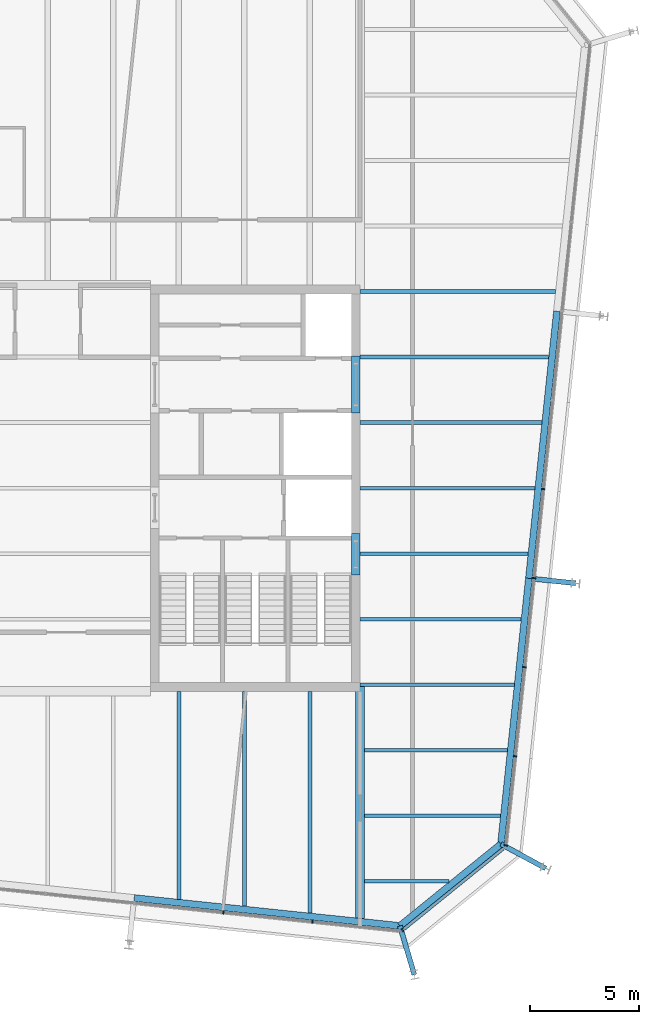
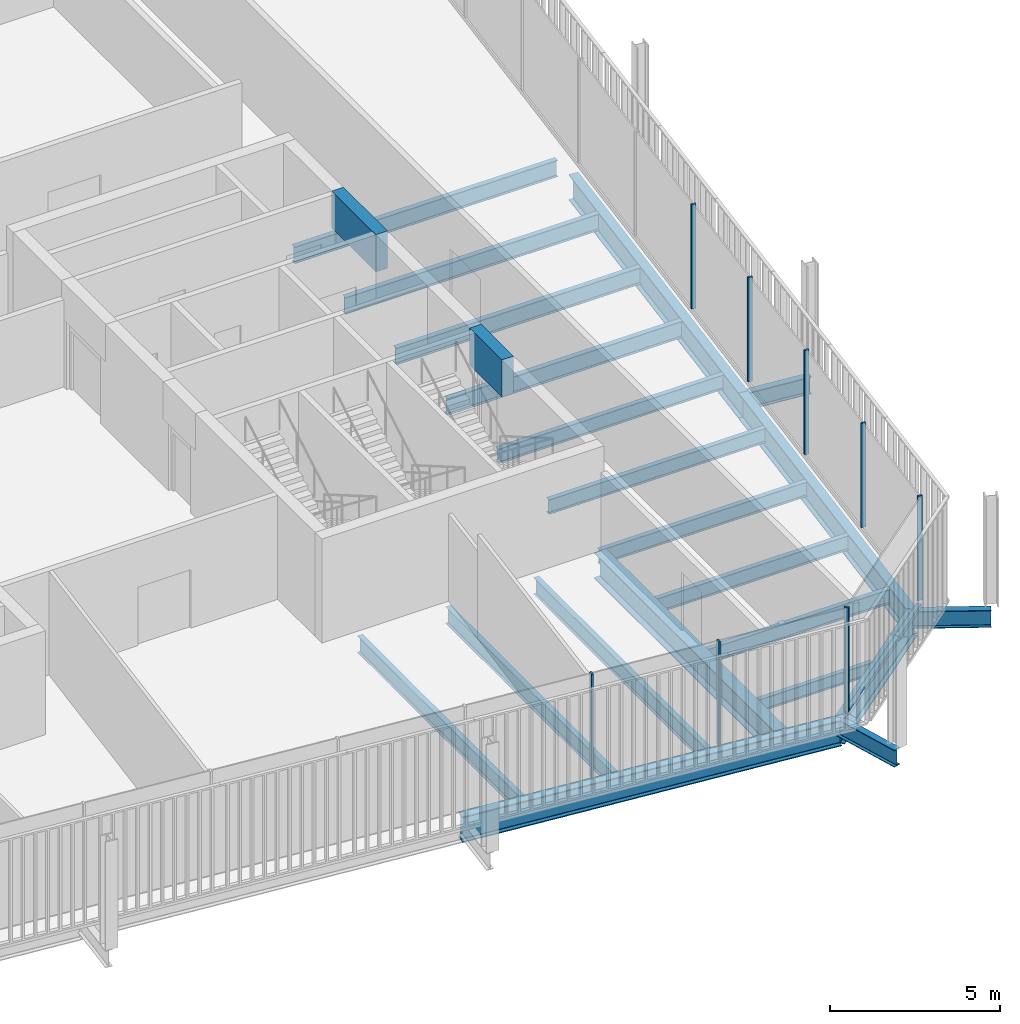
# One storey, part 9 of 20: 23 beams, 9 members, 3 elements without a shape of their own.
"""IFC4 building model written with IfcOpenShell, lengths in metres."""

from ifc_helpers import new_model, si_unit, direction, frame, origin, origin_2d, place, context, subcontext, project, spatial, rectangle, i_section, extrude, material, layer, layer_set, material_profile, profile_set, type_object, element, aggregate, save


model = new_model("IFC4")

# Units and contexts
model_context = context("Model", 3, precision=1e-05, world=origin(), true_north=direction((0.0, 1.0)))
body_context = subcontext(model_context, "Body", "Model", "MODEL_VIEW")
ifc_project = project(units=[si_unit("LENGTHUNIT", "METRE"), si_unit("AREAUNIT", "SQUARE_METRE"), si_unit("VOLUMEUNIT", "CUBIC_METRE"), si_unit("PLANEANGLEUNIT", "RADIAN"), si_unit("MASSUNIT", "GRAM", prefix="KILO")], contexts=[model_context])

# Site, building, storey
site_placement = place(None, origin())
site = spatial("IfcSite", under=ifc_project, at=site_placement, CompositionType="ELEMENT")
building_placement = place(site_placement, origin())
building = spatial("IfcBuilding", under=site, at=building_placement, Name="Millrace Tower", CompositionType="ELEMENT")
storey_placement = place(building_placement, frame((0.0, 0.0, 303.300048828125)))
storey = spatial("IfcBuildingStorey", under=building, at=storey_placement, Name="L70", CompositionType="ELEMENT", Elevation=303.300048828125)

# Curtain wall, members
ifc_material_1 = material(Name="Aluminium and glass", Category="aluminium")
ifc_layer = layer(ifc_material_1, 0.14990234375)
ifc_layer_set = layer_set([ifc_layer], Name="Aluminium and glass")
curtain_wall_type = type_object("IfcCurtainWallType", Name="CW-1 office vision curtain wall", PredefinedType="NOTDEFINED", material=ifc_layer_set)
placement = place(storey_placement, origin())
curtain_wall_1 = element("IfcCurtainWall", 1, at=placement, inside=storey, type_object=curtain_wall_type, Name="Curtain wall E-F02 L70", PredefinedType="NOTDEFINED")
ifc_material_2 = material(Name="Aluminium", Category="aluminium")
ifc_material_profile_1 = material_profile(ifc_material_2, rectangle(XDim=0.06494140625, YDim=0.14990234375, at=origin_2d()))
ifc_profile_set_1 = profile_set([ifc_material_profile_1], Name="Aluminium")
member_type_1 = type_object("IfcMemberType", Name="CW-1 office vision curtain wall mullion", PredefinedType="MULLION", material=ifc_profile_set_1)
member_1_placement = place(storey_placement, frame((8.040283203125, -19.4248046875, 0.139892578125), z_axis=(0.0, 0.0, 1.0), x_axis=(0.994521896217, -0.104528455196, 0.0)))
member_1 = element("IfcMember", 2, at=member_1_placement, type_object=member_type_1, Name="CW1 mullion E-F02.8", PredefinedType="MULLION", context=body_context, shape_type="SweptSolid", body=[
    extrude(rectangle(XDim=0.06494140625, YDim=0.14990234375, at=origin_2d()), origin(), (0.0, 0.0, 1.0), 3.760009765625),
])
member_2_placement = place(storey_placement, frame((12.117919921875, -19.853271484375, 0.139892578125), z_axis=(0.0, 0.0, 1.0), x_axis=(0.994521896217, -0.104528455196, 0.0)))
member_2 = element("IfcMember", 3, at=member_2_placement, type_object=member_type_1, Name="CW1 mullion E-F02.9", PredefinedType="MULLION", context=body_context, shape_type="SweptSolid", body=[
    extrude(rectangle(XDim=0.06494140625, YDim=0.14990234375, at=origin_2d()), origin(), (0.0, 0.0, 1.0), 3.760009765625),
])
aggregate(curtain_wall_1, [member_1, member_2])

# Curtain wall, member
curtain_wall_2 = element("IfcCurtainWall", 4, at=placement, inside=storey, type_object=curtain_wall_type, Name="Curtain wall E-F03 L70", PredefinedType="NOTDEFINED")
member_3_placement = place(storey_placement, frame((16.243408203125, -20.24169921875, 0.139892578125), z_axis=(0.0, 0.0, 1.0), x_axis=(0.777146052237, 0.629320278945, 0.0)))
member_3 = element("IfcMember", 5, at=member_3_placement, type_object=member_type_1, Name="CW1 mullion E-F03.1", PredefinedType="MULLION", context=body_context, shape_type="SweptSolid", body=[
    extrude(rectangle(XDim=0.06494140625, YDim=0.14990234375, at=origin_2d()), origin(), (0.0, 0.0, 1.0), 3.760009765625),
])

# Curtain wall, members
curtain_wall_3 = element("IfcCurtainWall", 6, at=placement, inside=storey, type_object=curtain_wall_type, Name="Curtain wall E-F04 L70", PredefinedType="NOTDEFINED")
member_4_placement = place(storey_placement, frame((20.974853515625, -16.3525390625, 0.139892578125), z_axis=(0.0, 0.0, 1.0), x_axis=(0.104528455196, 0.994521896217, 0.0)))
member_4 = element("IfcMember", 7, at=member_4_placement, type_object=member_type_1, Name="CW1 mullion E-F04.1", PredefinedType="MULLION", context=body_context, shape_type="SweptSolid", body=[
    extrude(rectangle(XDim=0.06494140625, YDim=0.14990234375, at=origin_2d()), origin(), (0.0, 0.0, 1.0), 3.760009765625),
])
member_5_placement = place(storey_placement, frame((21.4033203125, -12.27490234375, 0.139892578125), z_axis=(0.0, 0.0, 1.0), x_axis=(0.104528455196, 0.994521896217, 0.0)))
member_5 = element("IfcMember", 8, at=member_5_placement, type_object=member_type_1, Name="CW1 mullion E-F04.2", PredefinedType="MULLION", context=body_context, shape_type="SweptSolid", body=[
    extrude(rectangle(XDim=0.06494140625, YDim=0.14990234375, at=origin_2d()), origin(), (0.0, 0.0, 1.0), 3.760009765625),
])
member_6_placement = place(storey_placement, frame((21.83203125, -8.197509765625, 0.139892578125), z_axis=(0.0, 0.0, 1.0), x_axis=(0.104528455196, 0.994521896217, 0.0)))
member_6 = element("IfcMember", 9, at=member_6_placement, type_object=member_type_1, Name="CW1 mullion E-F04.3", PredefinedType="MULLION", context=body_context, shape_type="SweptSolid", body=[
    extrude(rectangle(XDim=0.06494140625, YDim=0.14990234375, at=origin_2d()), origin(), (0.0, 0.0, 1.0), 3.760009765625),
])
member_7_placement = place(storey_placement, frame((22.260498046875, -4.119873046875, 0.139892578125), z_axis=(0.0, 0.0, 1.0), x_axis=(0.104528455196, 0.994521896217, 0.0)))
member_7 = element("IfcMember", 10, at=member_7_placement, type_object=member_type_1, Name="CW1 mullion E-F04.4", PredefinedType="MULLION", context=body_context, shape_type="SweptSolid", body=[
    extrude(rectangle(XDim=0.06494140625, YDim=0.14990234375, at=origin_2d()), origin(), (0.0, 0.0, 1.0), 3.760009765625),
])
member_8_placement = place(storey_placement, frame((22.68896484375, -0.042236328125, 0.139892578125), z_axis=(0.0, 0.0, 1.0), x_axis=(0.104528455196, 0.994521896217, 0.0)))
member_8 = element("IfcMember", 11, at=member_8_placement, type_object=member_type_1, Name="CW1 mullion E-F04.5", PredefinedType="MULLION", context=body_context, shape_type="SweptSolid", body=[
    extrude(rectangle(XDim=0.06494140625, YDim=0.14990234375, at=origin_2d()), origin(), (0.0, 0.0, 1.0), 3.760009765625),
])
aggregate(curtain_wall_3, [member_4, member_5, member_6, member_7, member_8])

# Member
ifc_material_3 = material(Name="Aluminium", Category="aluminium")
ifc_material_profile_2 = material_profile(ifc_material_3, rectangle(XDim=0.14990234375, YDim=0.139892578125, at=origin_2d()))
ifc_profile_set_2 = profile_set([ifc_material_profile_2], Name="Aluminium")
member_type_2 = type_object("IfcMemberType", Name="CW-1 office vision curtain wall transom", PredefinedType="USERDEFINED", material=ifc_profile_set_2)
member_9_placement = place(storey_placement, frame((16.2958984375, -20.19921875, 0.070068359375), z_axis=(0.77714915117, 0.629316452061, 0.0), x_axis=(-0.629316452061, 0.77714915117, 0.0)))
member_9 = element("IfcMember", 12, at=member_9_placement, type_object=member_type_2, Name="CW1 transom E-F03.1", ObjectType="TRANSOM", PredefinedType="USERDEFINED", context=body_context, shape_type="SweptSolid", body=[
    extrude(rectangle(XDim=0.14990234375, YDim=0.139892578125, at=origin_2d()), origin(), (0.0, 0.0, 1.0), 5.880859375),
])

aggregate(curtain_wall_2, [member_3, member_9])

# Beams
ifc_material_4 = material(Name="Concrete C60", Category="concrete")
ifc_material_profile_3 = material_profile(ifc_material_4, rectangle(XDim=0.39990234375, YDim=1.340087890625, at=origin_2d()))
ifc_profile_set_3 = profile_set([ifc_material_profile_3], Name="Concrete C60")
beam_type_1 = type_object("IfcBeamType", Name="Coupling beam 400 x 1340 Concrete C60, 1300 opening", PredefinedType="BEAM", material=ifc_profile_set_3)
beam_1_placement = place(storey_placement, frame((14.10009765625, -2.080078125, 3.070068359375), z_axis=(0.0, -1.0, 0.0), x_axis=(1.0, 0.0, 0.0)))
element("IfcBeam", 13, at=beam_1_placement, inside=storey, type_object=beam_type_1, Name="Coupling beam E L70", PredefinedType="BEAM", context=body_context, shape_type="SweptSolid", body=[
    extrude(rectangle(XDim=0.39990234375, YDim=1.340087890625, at=origin_2d()), origin(), (0.0, 0.0, 1.0), 1.89990234375),
])
ifc_material_5 = material(Name="Concrete C60", Category="concrete")
ifc_material_profile_4 = material_profile(ifc_material_5, rectangle(XDim=0.39990234375, YDim=1.340087890625, at=origin_2d()))
ifc_profile_set_4 = profile_set([ifc_material_profile_4], Name="Concrete C60")
beam_type_2 = type_object("IfcBeamType", Name="Coupling beam 400 x 1340 Concrete C60, 2000 opening", PredefinedType="BEAM", material=ifc_profile_set_4)
beam_2_placement = place(storey_placement, frame((14.10009765625, 6.050048828125, 3.070068359375), z_axis=(0.0, -1.0, 0.0), x_axis=(1.0, 0.0, 0.0)))
element("IfcBeam", 14, at=beam_2_placement, inside=storey, type_object=beam_type_2, Name="Coupling beam E L70", PredefinedType="BEAM", context=body_context, shape_type="SweptSolid", body=[
    extrude(rectangle(XDim=0.39990234375, YDim=1.340087890625, at=origin_2d()), origin(), (0.0, 0.0, 1.0), 2.60009765625),
])
ifc_material_6 = material(Name="Steel ASTM A992 Grade 50", Category="steel")
ifc_material_profile_5 = material_profile(ifc_material_6, i_section(OverallWidth=0.15234375, OverallDepth=0.449462890625, WebThickness=0.007568359375, FlangeThickness=0.0107421875, FilletRadius=0.01025390625, at=origin_2d()))
ifc_profile_set_5 = profile_set([ifc_material_profile_5], Name="Steel ASTM A992 Grade 50")
beam_type_3 = type_object("IfcBeamType", Name="Floor beam W18x35", PredefinedType="JOIST", material=ifc_profile_set_5)
beam_3_placement = place(storey_placement, frame((14.509521484375, -18.0, -0.384765625), z_axis=(1.0, 0.0, 0.0), x_axis=(0.0, 1.0, 0.0)))
element("IfcBeam", 15, at=beam_3_placement, inside=storey, type_object=beam_type_3, Name="BM-E-L70-S1-S001", PredefinedType="JOIST", context=body_context, shape_type="SweptSolid", body=[
    extrude(i_section(OverallWidth=0.15234375, OverallDepth=0.449462890625, WebThickness=0.007568359375, FlangeThickness=0.0107421875, FilletRadius=0.01025390625, at=origin_2d()), origin(), (0.0, 0.0, 1.0), 3.87060546875),
])
ifc_material_7 = material(Name="Steel ASTM A992 Grade 50", Category="steel")
ifc_material_profile_6 = material_profile(ifc_material_7, i_section(OverallWidth=0.1650390625, OverallDepth=0.52587890625, WebThickness=0.0087890625, FlangeThickness=0.011474609375, FilletRadius=0.0126953125, at=origin_2d()))
ifc_profile_set_6 = profile_set([ifc_material_profile_6], Name="Steel ASTM A992 Grade 50")
beam_type_4 = type_object("IfcBeamType", Name="Floor beam W21x44", PredefinedType="JOIST", material=ifc_profile_set_6)
beam_4_placement = place(storey_placement, frame((14.509521484375, -15.0, -0.4228515625), z_axis=(1.0, 0.0, 0.0), x_axis=(0.0, 1.0, 0.0)))
element("IfcBeam", 16, at=beam_4_placement, inside=storey, type_object=beam_type_4, Name="BM-E-L70-S1-S003", PredefinedType="JOIST", context=body_context, shape_type="SweptSolid", body=[
    extrude(i_section(OverallWidth=0.1650390625, OverallDepth=0.52587890625, WebThickness=0.0087890625, FlangeThickness=0.011474609375, FilletRadius=0.0126953125, at=origin_2d()), origin(), (0.0, 0.0, 1.0), 6.222900390625),
])
beam_5_placement = place(storey_placement, frame((14.509521484375, -12.0, -0.4228515625), z_axis=(1.0, 0.0, 0.0), x_axis=(0.0, 1.0, 0.0)))
element("IfcBeam", 17, at=beam_5_placement, inside=storey, type_object=beam_type_4, Name="BM-E-L70-S1-S005", PredefinedType="JOIST", context=body_context, shape_type="SweptSolid", body=[
    extrude(i_section(OverallWidth=0.1650390625, OverallDepth=0.52587890625, WebThickness=0.0087890625, FlangeThickness=0.011474609375, FilletRadius=0.0126953125, at=origin_2d()), origin(), (0.0, 0.0, 1.0), 6.538330078125),
])
beam_6_placement = place(storey_placement, frame((14.300048828125, -9.0, -0.4228515625), z_axis=(1.0, 0.0, 0.0), x_axis=(0.0, 1.0, 0.0)))
element("IfcBeam", 18, at=beam_6_placement, inside=storey, type_object=beam_type_4, Name="BM-E-L70-S1-S007", PredefinedType="JOIST", context=body_context, shape_type="SweptSolid", body=[
    extrude(i_section(OverallWidth=0.1650390625, OverallDepth=0.52587890625, WebThickness=0.0087890625, FlangeThickness=0.011474609375, FilletRadius=0.0126953125, at=origin_2d()), origin(), (0.0, 0.0, 1.0), 7.06298828125),
])
beam_7_placement = place(storey_placement, frame((14.300048828125, -6.0, -0.4228515625), z_axis=(1.0, 0.0, 0.0), x_axis=(0.0, 1.0, 0.0)))
element("IfcBeam", 19, at=beam_7_placement, inside=storey, type_object=beam_type_4, Name="BM-E-L70-S1-S010", PredefinedType="JOIST", context=body_context, shape_type="SweptSolid", body=[
    extrude(i_section(OverallWidth=0.1650390625, OverallDepth=0.52587890625, WebThickness=0.0087890625, FlangeThickness=0.011474609375, FilletRadius=0.0126953125, at=origin_2d()), origin(), (0.0, 0.0, 1.0), 7.37841796875),
])
beam_8_placement = place(storey_placement, frame((14.300048828125, -3.0, -0.4228515625), z_axis=(1.0, 0.0, 0.0), x_axis=(0.0, 1.0, 0.0)))
element("IfcBeam", 20, at=beam_8_placement, inside=storey, type_object=beam_type_4, Name="BM-E-L70-S1-S013", PredefinedType="JOIST", context=body_context, shape_type="SweptSolid", body=[
    extrude(i_section(OverallWidth=0.1650390625, OverallDepth=0.52587890625, WebThickness=0.0087890625, FlangeThickness=0.011474609375, FilletRadius=0.0126953125, at=origin_2d()), origin(), (0.0, 0.0, 1.0), 7.693603515625),
])
ifc_material_8 = material(Name="Steel ASTM A992 Grade 50", Category="steel")
ifc_material_profile_7 = material_profile(ifc_material_8, i_section(OverallWidth=0.177978515625, OverallDepth=0.599365234375, WebThickness=0.010009765625, FlangeThickness=0.012939453125, FilletRadius=0.012939453125, at=origin_2d()))
ifc_profile_set_7 = profile_set([ifc_material_profile_7], Name="Steel ASTM A992 Grade 50")
beam_type_5 = type_object("IfcBeamType", Name="Floor beam W24x55", PredefinedType="JOIST", material=ifc_profile_set_7)
beam_9_placement = place(storey_placement, frame((14.300048828125, 0.0, -0.459716796875), z_axis=(1.0, 0.0, 0.0), x_axis=(0.0, 1.0, 0.0)))
element("IfcBeam", 21, at=beam_9_placement, inside=storey, type_object=beam_type_5, Name="BM-E-L70-S1-S016", PredefinedType="JOIST", context=body_context, shape_type="SweptSolid", body=[
    extrude(i_section(OverallWidth=0.177978515625, OverallDepth=0.599365234375, WebThickness=0.010009765625, FlangeThickness=0.012939453125, FilletRadius=0.012939453125, at=origin_2d()), origin(), (0.0, 0.0, 1.0), 8.009033203125),
])
beam_10_placement = place(storey_placement, frame((14.300048828125, 3.0, -0.459716796875), z_axis=(1.0, 0.0, 0.0), x_axis=(0.0, 1.0, 0.0)))
element("IfcBeam", 22, at=beam_10_placement, inside=storey, type_object=beam_type_5, Name="BM-E-L70-S1-S019", PredefinedType="JOIST", context=body_context, shape_type="SweptSolid", body=[
    extrude(i_section(OverallWidth=0.177978515625, OverallDepth=0.599365234375, WebThickness=0.010009765625, FlangeThickness=0.012939453125, FilletRadius=0.012939453125, at=origin_2d()), origin(), (0.0, 0.0, 1.0), 8.324462890625),
])
beam_11_placement = place(storey_placement, frame((14.300048828125, 6.0, -0.459716796875), z_axis=(1.0, 0.0, 0.0), x_axis=(0.0, 1.0, 0.0)))
element("IfcBeam", 23, at=beam_11_placement, inside=storey, type_object=beam_type_5, Name="BM-E-L70-S1-S022", PredefinedType="JOIST", context=body_context, shape_type="SweptSolid", body=[
    extrude(i_section(OverallWidth=0.177978515625, OverallDepth=0.599365234375, WebThickness=0.010009765625, FlangeThickness=0.012939453125, FilletRadius=0.012939453125, at=origin_2d()), origin(), (0.0, 0.0, 1.0), 8.6396484375),
])
beam_12_placement = place(storey_placement, frame((14.300048828125, 9.0, -0.459716796875), z_axis=(1.0, 0.0, 0.0), x_axis=(0.0, 1.0, 0.0)))
element("IfcBeam", 24, at=beam_12_placement, inside=storey, type_object=beam_type_5, Name="BM-E-L70-S1-S024", PredefinedType="JOIST", context=body_context, shape_type="SweptSolid", body=[
    extrude(i_section(OverallWidth=0.177978515625, OverallDepth=0.599365234375, WebThickness=0.010009765625, FlangeThickness=0.012939453125, FilletRadius=0.012939453125, at=origin_2d()), origin(), (0.0, 0.0, 1.0), 8.955078125),
])
beam_13_placement = place(storey_placement, frame((6.0, -18.825927734375, -0.459716796875), z_axis=(0.0, 1.0, 0.0), x_axis=(-1.0, 0.0, 0.0)))
element("IfcBeam", 25, at=beam_13_placement, inside=storey, type_object=beam_type_5, Name="BM-E-L70-S1-S049", PredefinedType="JOIST", context=body_context, shape_type="SweptSolid", body=[
    extrude(i_section(OverallWidth=0.177978515625, OverallDepth=0.599365234375, WebThickness=0.010009765625, FlangeThickness=0.012939453125, FilletRadius=0.012939453125, at=origin_2d()), origin(), (0.0, 0.0, 1.0), 9.52587890625),
])
beam_14_placement = place(storey_placement, frame((9.0, -19.14111328125, -0.459716796875), z_axis=(0.0, 1.0, 0.0), x_axis=(-1.0, 0.0, 0.0)))
element("IfcBeam", 26, at=beam_14_placement, inside=storey, type_object=beam_type_5, Name="BM-E-L70-S1-S051", PredefinedType="JOIST", context=body_context, shape_type="SweptSolid", body=[
    extrude(i_section(OverallWidth=0.177978515625, OverallDepth=0.599365234375, WebThickness=0.010009765625, FlangeThickness=0.012939453125, FilletRadius=0.012939453125, at=origin_2d()), origin(), (0.0, 0.0, 1.0), 9.841064453125),
])
ifc_material_9 = material(Name="Steel ASTM A992 Grade 50", Category="steel")
ifc_material_profile_8 = material_profile(ifc_material_9, i_section(OverallWidth=0.1787109375, OverallDepth=0.60205078125, WebThickness=0.010986328125, FlangeThickness=0.014892578125, FilletRadius=0.0126953125, at=origin_2d()))
ifc_profile_set_8 = profile_set([ifc_material_profile_8], Name="Steel ASTM A992 Grade 50")
beam_type_6 = type_object("IfcBeamType", Name="Floor beam W24x62", PredefinedType="JOIST", material=ifc_profile_set_8)
beam_15_placement = place(storey_placement, frame((12.0, -19.45654296875, -0.4609375), z_axis=(0.0, 1.0, 0.0), x_axis=(-1.0, 0.0, 0.0)))
element("IfcBeam", 27, at=beam_15_placement, inside=storey, type_object=beam_type_6, Name="BM-E-L70-S1-S053", PredefinedType="JOIST", context=body_context, shape_type="SweptSolid", body=[
    extrude(i_section(OverallWidth=0.1787109375, OverallDepth=0.60205078125, WebThickness=0.010986328125, FlangeThickness=0.014892578125, FilletRadius=0.0126953125, at=origin_2d()), origin(), (0.0, 0.0, 1.0), 10.156494140625),
])
ifc_material_10 = material(Name="Steel ASTM A992 Grade 50", Category="steel")
ifc_material_profile_9 = material_profile(ifc_material_10, i_section(OverallWidth=0.419189453125, OverallDepth=0.927001953125, WebThickness=0.019287109375, FlangeThickness=0.031982421875, FilletRadius=0.024169921875, at=origin_2d()))
ifc_profile_set_9 = profile_set([ifc_material_profile_9], Name="Steel ASTM A992 Grade 50")
beam_type_7 = type_object("IfcBeamType", Name="Girder short span W36x231", PredefinedType="BEAM", material=ifc_profile_set_9)
beam_16_placement = place(storey_placement, frame((14.300048828125, -19.6982421875, -0.62353515625), z_axis=(0.0, 1.0, 0.0), x_axis=(-1.0, 0.0, 0.0)))
element("IfcBeam", 28, at=beam_16_placement, inside=storey, type_object=beam_type_7, Name="BM-E-L70-S1-G057", PredefinedType="BEAM", context=body_context, shape_type="SweptSolid", body=[
    extrude(i_section(OverallWidth=0.419189453125, OverallDepth=0.927001953125, WebThickness=0.019287109375, FlangeThickness=0.031982421875, FilletRadius=0.024169921875, at=origin_2d()), origin(), (0.0, 0.0, 1.0), 10.6142578125),
])
ifc_material_11 = material(Name="Steel ASTM A992 Grade 50", Category="steel")
ifc_material_profile_10 = material_profile(ifc_material_11, i_section(OverallWidth=0.23046875, OverallDepth=0.6171875, WebThickness=0.01318359375, FlangeThickness=0.022216796875, FilletRadius=0.012939453125, at=origin_2d()))
ifc_profile_set_10 = profile_set([ifc_material_profile_10], Name="Steel ASTM A992 Grade 50")
beam_type_8 = type_object("IfcBeamType", Name="Link beam W24x94", PredefinedType="BEAM", material=ifc_profile_set_10)
beam_17_placement = place(storey_placement, frame((22.1826171875, -4.144287109375, -0.46875), z_axis=(0.99452550138, -0.104494148666, 0.0), x_axis=(0.104494148666, 0.99452550138, 0.0)))
element("IfcBeam", 29, at=beam_17_placement, inside=storey, type_object=beam_type_8, Name="LNK-E-L70-S1-11", PredefinedType="BEAM", context=body_context, shape_type="SweptSolid", body=[
    extrude(i_section(OverallWidth=0.23046875, OverallDepth=0.6171875, WebThickness=0.01318359375, FlangeThickness=0.022216796875, FilletRadius=0.012939453125, at=origin_2d()), origin(), (0.0, 0.0, 1.0), 2.0),
])
for number, where, z_axis, x_axis, name in (
    (30, (20.750732421875, -16.297607421875, -0.46875), (0.87881453358, -0.477163510307, 0.0), (0.477163510307, 0.87881453358, 0.0), "LNK-E-L70-S1-12"),
    (31, (16.123779296875, -20.04443359375, -0.46875), (0.283934988541, -0.958843533785, 0.0), (0.958843533785, 0.283934988541, 0.0), "LNK-E-L70-S1-13"),
):
    element("IfcBeam", number, at=place(storey_placement, frame(where, z_axis=z_axis, x_axis=x_axis)), inside=storey, type_object=beam_type_8, Name=name, PredefinedType="BEAM", context=body_context, shape_type="SweptSolid", body=[
        extrude(i_section(OverallWidth=0.23046875, OverallDepth=0.6171875, WebThickness=0.01318359375, FlangeThickness=0.022216796875, FilletRadius=0.012939453125, at=origin_2d()), origin(), (0.0, 0.0, 1.0), 2.3310546875),
    ])
ifc_material_12 = material(Name="Steel ASTM A992 Grade 50", Category="steel")
ifc_material_profile_11 = material_profile(ifc_material_12, i_section(OverallWidth=0.307373046875, OverallDepth=0.927001953125, WebThickness=0.01953125, FlangeThickness=0.031982421875, FilletRadius=0.01904296875, at=origin_2d()))
ifc_profile_set_11 = profile_set([ifc_material_profile_11], Name="Steel ASTM A992 Grade 50")
beam_type_9 = type_object("IfcBeamType", Name="Ring beam medium span W36x194", PredefinedType="SPANDREL", material=ifc_profile_set_11)
beam_18_placement = place(storey_placement, frame((23.3154296875, 8.104248046875, -0.62353515625), z_axis=(-0.10452566363, -0.994522189618, 0.0), x_axis=(0.994522189618, -0.10452566363, 0.0)))
element("IfcBeam", 32, at=beam_18_placement, inside=storey, type_object=beam_type_9, Name="RNG-E-L70-S1-10", PredefinedType="SPANDREL", context=body_context, shape_type="SweptSolid", body=[
    extrude(i_section(OverallWidth=0.307373046875, OverallDepth=0.927001953125, WebThickness=0.01953125, FlangeThickness=0.031982421875, FilletRadius=0.01904296875, at=origin_2d()), origin(), (0.0, 0.0, 1.0), 12.2998046875),
])
for number, where, z_axis, x_axis, name in (
    (33, (22.02978515625, -4.128173828125, -0.62353515625), (-0.104527955888, -0.994521948696, 0.0), (0.994521948696, -0.104527955888, 0.0), "RNG-E-L70-S1-11"),
    (34, (16.123779296875, -20.04443359375, -0.62353515625), (-0.994521948696, 0.104527955888, 0.0), (-0.104527955888, -0.994521948696, 0.0), "RNG-E-L70-S1-13"),
):
    element("IfcBeam", number, at=place(storey_placement, frame(where, z_axis=z_axis, x_axis=x_axis)), inside=storey, type_object=beam_type_9, Name=name, PredefinedType="SPANDREL", context=body_context, shape_type="SweptSolid", body=[
        extrude(i_section(OverallWidth=0.307373046875, OverallDepth=0.927001953125, WebThickness=0.01953125, FlangeThickness=0.031982421875, FilletRadius=0.01904296875, at=origin_2d()), origin(), (0.0, 0.0, 1.0), 12.236572265625),
    ])
ifc_material_13 = material(Name="Steel ASTM A992 Grade 50", Category="steel")
ifc_material_profile_12 = material_profile(ifc_material_13, i_section(OverallWidth=0.307373046875, OverallDepth=0.927001953125, WebThickness=0.01953125, FlangeThickness=0.031982421875, FilletRadius=0.01904296875, at=origin_2d()))
ifc_profile_set_12 = profile_set([ifc_material_profile_12], Name="Steel ASTM A992 Grade 50")
beam_type_10 = type_object("IfcBeamType", Name="Ring beam short span W36x194", PredefinedType="SPANDREL", material=ifc_profile_set_12)
beam_19_placement = place(storey_placement, frame((20.750732421875, -16.297607421875, -0.62353515625), z_axis=(-0.777146502883, -0.629319722443, 0.0), x_axis=(0.629319722443, -0.777146502883, 0.0)))
element("IfcBeam", 35, at=beam_19_placement, inside=storey, type_object=beam_type_10, Name="RNG-E-L70-S1-12", PredefinedType="SPANDREL", context=body_context, shape_type="SweptSolid", body=[
    extrude(i_section(OverallWidth=0.307373046875, OverallDepth=0.927001953125, WebThickness=0.01953125, FlangeThickness=0.031982421875, FilletRadius=0.01904296875, at=origin_2d()), origin(), (0.0, 0.0, 1.0), 5.953857421875),
])

save(model, "model.ifc")
